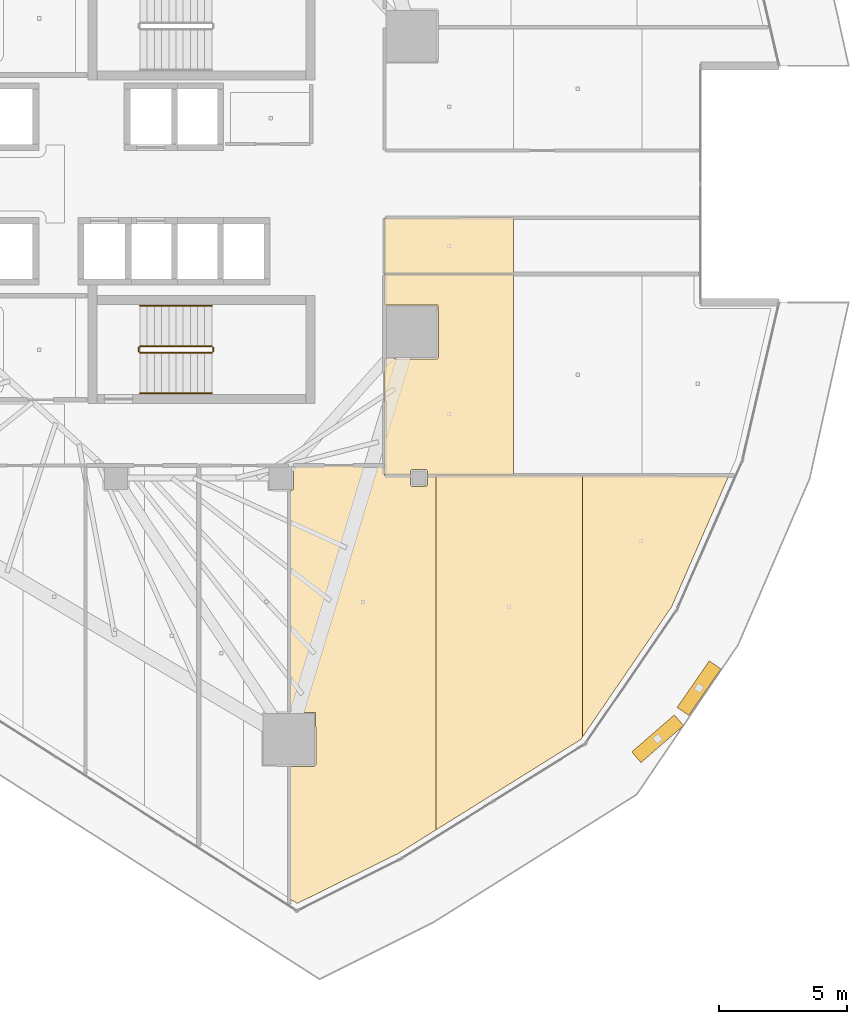
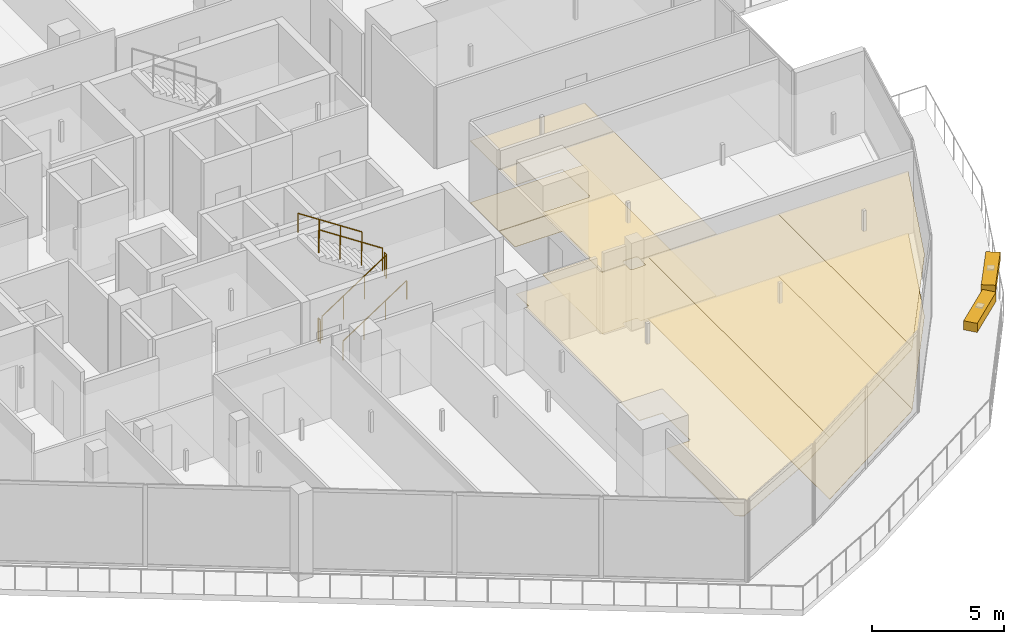
# One storey, part 34 of 37: 9 coverings, 6 railings, 2 shading devices.
"""IFC4 building model written with IfcOpenShell, lengths in metres."""

from ifc_helpers import new_model, si_unit, direction, frame, origin, origin_2d, place, context, subcontext, project, spatial, polyline, rectangle, circle, outline, extrude, material, layer, layer_set, type_object, element, save


model = new_model("IFC4")

# Units and contexts
model_context = context("Model", 3, precision=1e-05, world=origin(), true_north=direction((0.0, 1.0)))
body_context = subcontext(model_context, "Body", "Model", "MODEL_VIEW")
ifc_project = project(units=[si_unit("LENGTHUNIT", "METRE"), si_unit("AREAUNIT", "SQUARE_METRE"), si_unit("VOLUMEUNIT", "CUBIC_METRE"), si_unit("PLANEANGLEUNIT", "RADIAN"), si_unit("MASSUNIT", "GRAM", prefix="KILO")], contexts=[model_context])

# Site, building, storey
site_placement = place(None, origin())
site = spatial("IfcSite", under=ifc_project, at=site_placement, CompositionType="ELEMENT")
building_placement = place(site_placement, origin())
building = spatial("IfcBuilding", under=site, at=building_placement, Name="Qorvath Tower", CompositionType="ELEMENT")
storey_placement = place(building_placement, frame((0.0, 0.0, 184.800048828125)))
storey = spatial("IfcBuildingStorey", under=building, at=storey_placement, Name="L42", CompositionType="ELEMENT", Elevation=184.800048828125)

# Coverings
ifc_material_1 = material(Name="Acoustic mineral fibre ceiling tile", Category="gypsum")
ifc_layer_1 = layer(ifc_material_1, 0.030029296875)
ifc_layer_set_1 = layer_set([ifc_layer_1], Name="COV-CEIL")
covering_type_1 = type_object("IfcCoveringType", Name="COV-CEIL", PredefinedType="CEILING", material=ifc_layer_set_1)
covering_1_placement = place(storey_placement, frame((0.0, 0.0, 2.849853515625)))
element("IfcCovering", 1, at=covering_1_placement, inside=storey, type_object=covering_type_1, Name="L42 Suspended Acoustic Ceiling 024", PredefinedType="CEILING", context=body_context, shape_type="SweptSolid", body=[
    extrude(outline(polyline([(-16.8466796875, -27.83154296875), (-16.5458984375, -28.023681640625), (-12.6318359375, -26.089111328125), (-11.142578125, -25.159912109375), (-11.142578125, -11.35888671875), (-11.465087890625, -11.358642578125), (-11.482666015625, -11.767333984375), (-12.074951171875, -11.784912109375), (-12.135009765625, -11.72509765625), (-12.135009765625, -11.359375), (-13.153564453125, -11.357177734375), (-13.155029296875, -10.962890625), (-16.7021484375, -10.970703125), (-16.68994140625, -11.89990234375), (-16.8466796875, -11.9599609375), (-16.8466796875, -20.567138671875), (-15.829345703125, -20.584716796875), (-15.811767578125, -22.627197265625), (-15.87158203125, -22.68701171875), (-16.8466796875, -22.68701171875), (-16.8466796875, -27.83154296875)])), origin(), (0.0, 0.0, 1.0), 0.030029296875),
])
covering_2_placement = place(storey_placement, frame((0.0, 0.0, 2.849853515625)))
element("IfcCovering", 2, at=covering_2_placement, inside=storey, type_object=covering_type_1, Name="L42 Suspended Acoustic Ceiling 025", PredefinedType="CEILING", context=body_context, shape_type="SweptSolid", body=[
    extrude(outline(polyline([(-11.142578125, -11.35888671875), (-11.142578125, -25.159912109375), (-5.496826171875, -21.637451171875), (-5.438720703125, -21.55224609375), (-5.438720703125, -11.361083984375), (-11.142578125, -11.35888671875)])), origin(), (0.0, 0.0, 1.0), 0.030029296875),
])
covering_3_placement = place(storey_placement, frame((0.0, 0.0, 2.849853515625)))
element("IfcCovering", 3, at=covering_3_placement, inside=storey, type_object=covering_type_1, Name="L42 Suspended Acoustic Ceiling 026", PredefinedType="CEILING", context=body_context, shape_type="SweptSolid", body=[
    extrude(outline(polyline([(-5.438720703125, -11.361083984375), (-5.438720703125, -21.55224609375), (-1.960205078125, -16.465087890625), (0.265380859375, -11.36328125), (-5.438720703125, -11.361083984375)])), origin(), (0.0, 0.0, 1.0), 0.030029296875),
])
covering_4_placement = place(storey_placement, frame((0.0, 0.0, 2.849853515625)))
element("IfcCovering", 4, at=covering_4_placement, inside=storey, type_object=covering_type_1, Name="L42 Suspended Acoustic Ceiling 027", PredefinedType="CEILING", context=body_context, shape_type="SweptSolid", body=[
    extrude(outline(polyline([(-8.1220703125, -11.342041015625), (-8.1220703125, -3.514892578125), (-13.136962890625, -3.514892578125), (-13.136962890625, -4.714599609375), (-11.054443359375, -4.715576171875), (-11.036865234375, -6.7578125), (-11.0966796875, -6.81787109375), (-13.136962890625, -6.80126953125), (-13.136962890625, -11.340576171875), (-12.135009765625, -11.341552734375), (-12.135009765625, -11.175048828125), (-12.074951171875, -11.114990234375), (-11.52490234375, -11.114990234375), (-11.465087890625, -11.175048828125), (-11.465087890625, -11.340576171875), (-8.1220703125, -11.342041015625)])), origin(), (0.0, 0.0, 1.0), 0.030029296875),
])
covering_5_placement = place(storey_placement, frame((0.0, 0.0, 2.849853515625)))
element("IfcCovering", 5, at=covering_5_placement, inside=storey, type_object=covering_type_1, Name="L42 Suspended Acoustic Ceiling 031", PredefinedType="CEILING", context=body_context, shape_type="SweptSolid", body=[
    extrude(outline(polyline([(-8.1220703125, -3.496826171875), (-8.1220703125, -1.31103515625), (-13.136962890625, -1.31298828125), (-13.136962890625, -3.496826171875), (-8.1220703125, -3.496826171875)])), origin(), (0.0, 0.0, 1.0), 0.030029296875),
])
ifc_material_2 = material(Name="Low-VOC modular carpet tile", Category="textile")
ifc_layer_2 = layer(ifc_material_2, 0.014892578125)
ifc_layer_set_2 = layer_set([ifc_layer_2], Name="COV-FLOOR-CPT")
covering_type_2 = type_object("IfcCoveringType", Name="COV-FLOOR-CPT", PredefinedType="FLOORING", material=ifc_layer_set_2)
covering_6_placement = place(storey_placement, origin())
element("IfcCovering", 6, at=covering_6_placement, inside=storey, type_object=covering_type_2, Name="L42 Floor Finish 025", PredefinedType="FLOORING", context=body_context, shape_type="SweptSolid", body=[
    extrude(outline(polyline([(-11.142578125, -11.35888671875), (-11.142578125, -25.159912109375), (-5.496826171875, -21.637451171875), (-5.438720703125, -21.55224609375), (-5.438720703125, -11.361083984375), (-11.142578125, -11.35888671875)])), origin(), (0.0, 0.0, 1.0), 0.014892578125),
])
covering_7_placement = place(storey_placement, origin())
element("IfcCovering", 7, at=covering_7_placement, inside=storey, type_object=covering_type_2, Name="L42 Floor Finish 026", PredefinedType="FLOORING", context=body_context, shape_type="SweptSolid", body=[
    extrude(outline(polyline([(-5.438720703125, -11.361083984375), (-5.438720703125, -21.55224609375), (-1.960205078125, -16.465087890625), (0.265380859375, -11.36328125), (-5.438720703125, -11.361083984375)])), origin(), (0.0, 0.0, 1.0), 0.014892578125),
])
covering_8_placement = place(storey_placement, origin())
element("IfcCovering", 8, at=covering_8_placement, inside=storey, type_object=covering_type_2, Name="L42 Floor Finish 027", PredefinedType="FLOORING", context=body_context, shape_type="SweptSolid", body=[
    extrude(outline(polyline([(-8.1220703125, -11.342041015625), (-8.1220703125, -3.514892578125), (-13.136962890625, -3.514892578125), (-13.136962890625, -4.714599609375), (-11.054443359375, -4.715576171875), (-11.036865234375, -6.7578125), (-11.0966796875, -6.81787109375), (-13.136962890625, -6.80126953125), (-13.136962890625, -11.340576171875), (-12.135009765625, -11.341552734375), (-12.135009765625, -11.175048828125), (-12.074951171875, -11.114990234375), (-11.52490234375, -11.114990234375), (-11.465087890625, -11.175048828125), (-11.465087890625, -11.340576171875), (-8.1220703125, -11.342041015625)])), origin(), (0.0, 0.0, 1.0), 0.014892578125),
])
covering_9_placement = place(storey_placement, origin())
element("IfcCovering", 9, at=covering_9_placement, inside=storey, type_object=covering_type_2, Name="L42 Floor Finish 031", PredefinedType="FLOORING", context=body_context, shape_type="SweptSolid", body=[
    extrude(outline(polyline([(-8.1220703125, -3.496826171875), (-8.1220703125, -1.31103515625), (-13.136962890625, -1.31298828125), (-13.136962890625, -3.496826171875), (-8.1220703125, -3.496826171875)])), origin(), (0.0, 0.0, 1.0), 0.014892578125),
])

# Railings
ifc_material_3 = material(Name="Painted galvanised steel", Category="steel")
railing_type_1 = type_object("IfcRailingType", Name="RL-STR-GRD", PredefinedType="GUARDRAIL", material=ifc_material_3)
railing_1_placement = place(storey_placement, frame((-22.669921875, -6.570068359375, 0.18408203125)))
element("IfcRailing", 10, at=railing_1_placement, inside=storey, type_object=railing_type_1, Name="L42 TS2 stair guard 1", PredefinedType="GUARDRAIL", context=body_context, shape_type="SweptSolid", body=[
    extrude(circle(Radius=0.02392578125, at=origin_2d()), frame((0.0, 0.0, 1.076171875), z_axis=(0.835575518608, 0.0, 0.549375602573), x_axis=(0.0, 1.0, 0.0)), (0.0, 0.0, 1.0), 3.350830078125),
    extrude(circle(Radius=0.02099609375, at=origin_2d()), origin(), (0.0, 0.0, 1.0), 1.052001953125),
    extrude(circle(Radius=0.02099609375, at=origin_2d()), frame((0.933349609375, 0.0, 0.613525390625)), (0.0, 0.0, 1.0), 1.052001953125),
    extrude(circle(Radius=0.02099609375, at=origin_2d()), frame((1.866455078125, 0.0, 1.227294921875)), (0.0, 0.0, 1.0), 1.052001953125),
    extrude(circle(Radius=0.02099609375, at=origin_2d()), frame((2.7998046875, 0.0, 1.8408203125)), (0.0, 0.0, 1.0), 1.052001953125),
])
railing_2_placement = place(storey_placement, frame((-19.820068359375, -6.52001953125, 2.02490234375)))
element("IfcRailing", 11, at=railing_2_placement, inside=storey, type_object=railing_type_1, Name="L42 TS2 stair guard 2", PredefinedType="GUARDRAIL", context=body_context, shape_type="SweptSolid", body=[
    extrude(circle(Radius=0.02392578125, at=origin_2d()), frame((0.0, 0.0, 1.076171875), z_axis=(0.0, 1.0, 0.0), x_axis=(-1.0, 0.0, 0.0)), (0.0, 0.0, 1.0), 0.14990234375),
    extrude(circle(Radius=0.02099609375, at=origin_2d()), origin(), (0.0, 0.0, 1.0), 1.052001953125),
    extrude(circle(Radius=0.02099609375, at=origin_2d()), frame((0.0, 0.14990234375, 0.0)), (0.0, 0.0, 1.0), 1.052001953125),
])
railing_3_placement = place(storey_placement, frame((-19.8701171875, -6.320068359375, 2.208984375)))
element("IfcRailing", 12, at=railing_3_placement, inside=storey, type_object=railing_type_1, Name="L42 TS2 stair guard 3", PredefinedType="GUARDRAIL", context=body_context, shape_type="SweptSolid", body=[
    extrude(circle(Radius=0.02392578125, at=origin_2d()), frame((0.0, 0.0, 1.076171875), z_axis=(-0.835542071712, 0.0, 0.549426470421), x_axis=(0.0, -1.0, 0.0)), (0.0, 0.0, 1.0), 3.350830078125),
    extrude(circle(Radius=0.02099609375, at=origin_2d()), origin(), (0.0, 0.0, 1.0), 1.052001953125),
    extrude(circle(Radius=0.02099609375, at=origin_2d()), frame((-0.933349609375, 0.0, 0.61376953125)), (0.0, 0.0, 1.0), 1.052001953125),
    extrude(circle(Radius=0.02099609375, at=origin_2d()), frame((-1.866455078125, 0.0, 1.227294921875)), (0.0, 0.0, 1.0), 1.052001953125),
    extrude(circle(Radius=0.02099609375, at=origin_2d()), frame((-2.7998046875, 0.0, 1.841064453125)), (0.0, 0.0, 1.0), 1.052001953125),
])
railing_4_placement = place(storey_placement, frame((-22.719970703125, -6.52001953125, 0.0)))
element("IfcRailing", 13, at=railing_4_placement, inside=storey, type_object=railing_type_1, Name="L42 TS2 stair guard 4", PredefinedType="GUARDRAIL", context=body_context, shape_type="SweptSolid", body=[
    extrude(circle(Radius=0.02392578125, at=origin_2d()), frame((0.0, 0.0, 1.076171875), z_axis=(0.0, 1.0, 0.0), x_axis=(-1.0, 0.0, 0.0)), (0.0, 0.0, 1.0), 0.14990234375),
    extrude(circle(Radius=0.02099609375, at=origin_2d()), origin(), (0.0, 0.0, 1.0), 1.052001953125),
    extrude(circle(Radius=0.02099609375, at=origin_2d()), frame((0.0, 0.14990234375, 0.0)), (0.0, 0.0, 1.0), 1.052001953125),
])
ifc_material_4 = material(Name="Brushed stainless steel AISI 304", Category="steel")
railing_type_2 = type_object("IfcRailingType", Name="RL-STR-HND", PredefinedType="HANDRAIL", material=ifc_material_4)
railing_5_placement = place(storey_placement, frame((-22.669921875, -8.14990234375, 0.18408203125)))
element("IfcRailing", 14, at=railing_5_placement, inside=storey, type_object=railing_type_2, Name="L42 TS2 stair handrail 1", PredefinedType="HANDRAIL", context=body_context, shape_type="SweptSolid", body=[
    extrude(circle(Radius=0.02392578125, at=origin_2d()), frame((0.0, 0.0, 0.8759765625), z_axis=(0.835575518608, 0.0, 0.549375602573), x_axis=(0.0, 1.0, 0.0)), (0.0, 0.0, 1.0), 3.350830078125),
    extrude(circle(Radius=0.02099609375, at=origin_2d()), origin(), (0.0, 0.0, 1.0), 0.851806640625),
    extrude(circle(Radius=0.02099609375, at=origin_2d()), frame((0.933349609375, 0.0, 0.613525390625)), (0.0, 0.0, 1.0), 0.851806640625),
    extrude(circle(Radius=0.02099609375, at=origin_2d()), frame((1.866455078125, 0.0, 1.227294921875)), (0.0, 0.0, 1.0), 0.851806640625),
    extrude(circle(Radius=0.02099609375, at=origin_2d()), frame((2.7998046875, 0.0, 1.8408203125)), (0.0, 0.0, 1.0), 0.851806640625),
])
railing_6_placement = place(storey_placement, frame((-19.8701171875, -4.739990234375, 2.208984375)))
element("IfcRailing", 15, at=railing_6_placement, inside=storey, type_object=railing_type_2, Name="L42 TS2 stair handrail 2", PredefinedType="HANDRAIL", context=body_context, shape_type="SweptSolid", body=[
    extrude(circle(Radius=0.02392578125, at=origin_2d()), frame((0.0, 0.0, 0.8759765625), z_axis=(-0.835542071712, 0.0, 0.549426470421), x_axis=(0.0, -1.0, 0.0)), (0.0, 0.0, 1.0), 3.350830078125),
    extrude(circle(Radius=0.02099609375, at=origin_2d()), origin(), (0.0, 0.0, 1.0), 0.851806640625),
    extrude(circle(Radius=0.02099609375, at=origin_2d()), frame((-0.933349609375, 0.0, 0.61376953125)), (0.0, 0.0, 1.0), 0.851806640625),
    extrude(circle(Radius=0.02099609375, at=origin_2d()), frame((-1.866455078125, 0.0, 1.227294921875)), (0.0, 0.0, 1.0), 0.851806640625),
    extrude(circle(Radius=0.02099609375, at=origin_2d()), frame((-2.7998046875, 0.0, 1.841064453125)), (0.0, 0.0, 1.0), 0.851806640625),
])

# Shading devices
ifc_material_5 = material(Name="Anodised bronze-champagne aluminium", Category="aluminium")
shading_device_type = type_object("IfcShadingDeviceType", Name="SD-LOUVRE", PredefinedType="JALOUSIE", material=ifc_material_5)
for number, where, z_axis, x_axis, name in (
    (16, (-2.505859375, -21.6083984375, 3.360107421875), (0.0, 0.0, 1.0), (0.754905348279, 0.655833755718, 0.0), "Sinusoidal Wave Louvre Blade L42-03"),
    (17, (-0.892822265625, -19.6376953125, 3.360107421875), (0.0, 0.0, 1.0), (0.56840677655, 0.82274767479, 0.0), "Sinusoidal Wave Louvre Blade L42-04"),
):
    element("IfcShadingDevice", number, at=place(storey_placement, frame(where, z_axis=z_axis, x_axis=x_axis)), inside=storey, type_object=shading_device_type, Name=name, PredefinedType="NOTDEFINED", context=body_context, shape_type="SweptSolid", body=[
        extrude(rectangle(XDim=2.199951171875, YDim=0.550048828125, at=origin_2d()), origin(), (0.0, 0.0, 1.0), 0.419921875),
    ])

save(model, "model.ifc")
